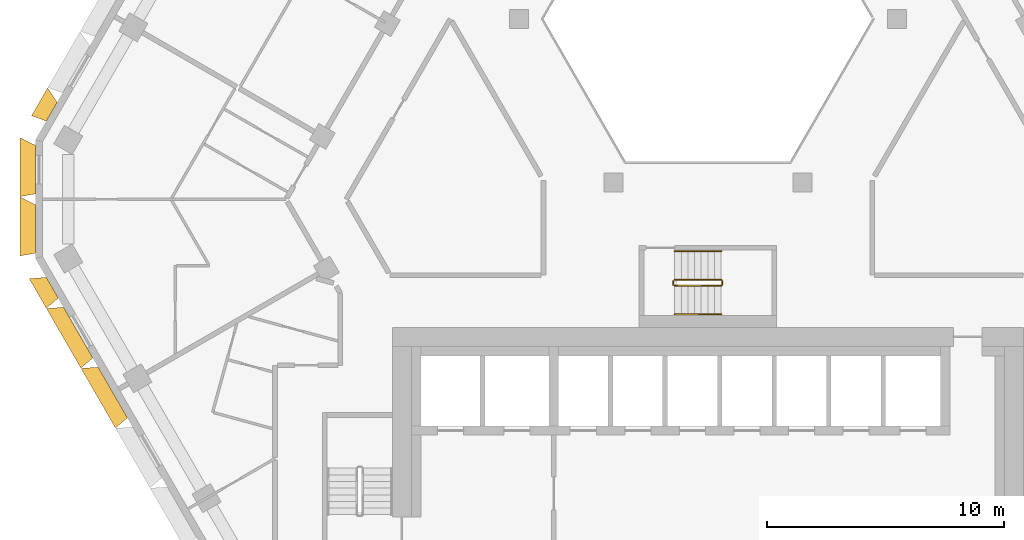
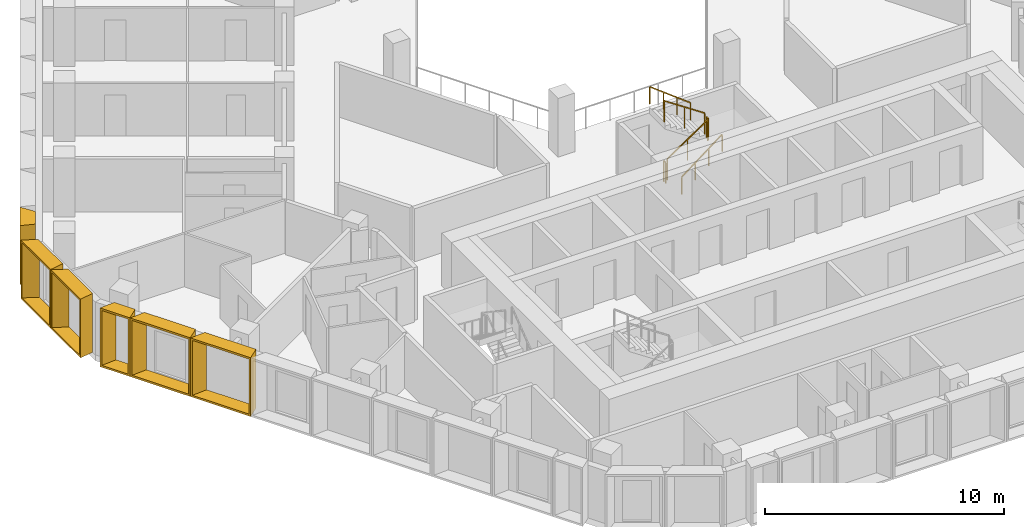
# One storey, part 13 of 15: 6 railings, 6 shading devices.
"""IFC4 building model written with IfcOpenShell, lengths in metres."""

from ifc_helpers import new_model, entity, si_unit, direction, frame, origin, origin_2d, place, context, subcontext, project, spatial, rectangle, extrude, source, transform, mapped, material, type_object, type_shapes, element, save


model = new_model("IFC4")

# Units and contexts
model_context = context("Model", 3, precision=1e-05, world=origin(), true_north=direction((0.0, 1.0)))
body_context = subcontext(model_context, "Body", "Model", "MODEL_VIEW")
ifc_project = project(units=[si_unit("LENGTHUNIT", "METRE"), si_unit("AREAUNIT", "SQUARE_METRE"), si_unit("VOLUMEUNIT", "CUBIC_METRE"), si_unit("PLANEANGLEUNIT", "RADIAN"), si_unit("MASSUNIT", "GRAM", prefix="KILO")], contexts=[model_context])

# Site, building, storey
site_placement = place(None, origin())
site = spatial("IfcSite", under=ifc_project, at=site_placement, CompositionType="ELEMENT")
building_placement = place(site_placement, origin())
building = spatial("IfcBuilding", under=site, at=building_placement, Name="Beryl Residences", CompositionType="ELEMENT")
storey_placement = place(building_placement, frame((0.0, 0.0, 117.60009765625)))
storey = spatial("IfcBuildingStorey", under=building, at=storey_placement, Name="L35", CompositionType="ELEMENT", Elevation=117.60009765625)

# Shading devices
ifc_material_1 = material(Name="Aluminium pale anodised", Category="aluminium")
shading_device_type_1 = type_object("IfcShadingDeviceType", Name="FR137-65B OUTER SKIN frame 650 mm deep, splay 26/10 deg, 1370 x 3000 mm cell", PredefinedType="USERDEFINED", material=ifc_material_1)
cartesian_point_1 = entity("IfcCartesianPoint", [-0.458984375, 0.0])
cartesian_point_2 = entity("IfcCartesianPoint", [-0.369873046875, 0.10009765625])
cartesian_point_3 = entity("IfcCartesianPoint", [-0.776123046875, 0.0])
cartesian_point_4 = entity("IfcCartesianPoint", [-0.68701171875, 0.10009765625])
shared_shape_1 = source(origin(), body_context, "Body", "SweptSolid", [
    entity("IfcExtrudedAreaSolidTapered", entity("IfcArbitraryProfileDefWithVoids", "AREA", None, entity("IfcPolyline", [cartesian_point_1, entity("IfcCartesianPoint", [0.458984375, 0.0]), entity("IfcCartesianPoint", [0.458984375, 3.0]), entity("IfcCartesianPoint", [-0.458984375, 3.0]), cartesian_point_1]), [entity("IfcPolyline", [cartesian_point_2, entity("IfcCartesianPoint", [0.377685546875, 0.10009765625]), entity("IfcCartesianPoint", [0.377685546875, 2.89990234375]), entity("IfcCartesianPoint", [-0.369873046875, 2.89990234375]), cartesian_point_2])]), entity("IfcAxis2Placement3D", entity("IfcCartesianPoint", [0.0, 0.0, 0.0]), entity("IfcDirection", [0.0, 1.0, 0.0]), entity("IfcDirection", [-1.0, 0.0, 0.0])), entity("IfcDirection", [0.0, 0.0, 1.0]), 0.64990234375, entity("IfcArbitraryProfileDefWithVoids", "AREA", None, entity("IfcPolyline", [cartesian_point_3, entity("IfcCartesianPoint", [0.57373046875, 0.0]), entity("IfcCartesianPoint", [0.57373046875, 3.0]), entity("IfcCartesianPoint", [-0.776123046875, 3.0]), cartesian_point_3]), [entity("IfcPolyline", [cartesian_point_4, entity("IfcCartesianPoint", [0.492431640625, 0.10009765625]), entity("IfcCartesianPoint", [0.492431640625, 2.89990234375]), entity("IfcCartesianPoint", [-0.68701171875, 2.89990234375]), cartesian_point_4])])),
])
type_shapes(shading_device_type_1, [shared_shape_1])
shading_device_1_placement = place(storey_placement, frame((-27.658935546875, 4.093017578125, 0.0), z_axis=(0.0, 0.0, 1.0), x_axis=(0.5, 0.866025403784, 0.0)))
element("IfcShadingDevice", 1, at=shading_device_1_placement, inside=storey, type_object=shading_device_type_1, Name="FR137-65B frame L35 NW 9", ObjectType="OUTER SKIN", PredefinedType="USERDEFINED", context=body_context, shape_type="MappedRepresentation", body=[
    mapped(shared_shape_1, transform((0.0, 0.0, 0.0))),
])
ifc_material_2 = material(Name="Aluminium pale anodised", Category="aluminium")
shading_device_type_2 = type_object("IfcShadingDeviceType", Name="FR146-65B OUTER SKIN frame 650 mm deep, splay 26/10 deg, 1460 x 3000 mm cell", PredefinedType="USERDEFINED", material=ifc_material_2)
cartesian_point_5 = entity("IfcCartesianPoint", [-0.50390625, 0.0])
cartesian_point_6 = entity("IfcCartesianPoint", [-0.4150390625, 0.10009765625])
cartesian_point_7 = entity("IfcCartesianPoint", [-0.821044921875, 0.0])
cartesian_point_8 = entity("IfcCartesianPoint", [-0.73193359375, 0.10009765625])
shared_shape_2 = source(origin(), body_context, "Body", "SweptSolid", [
    entity("IfcExtrudedAreaSolidTapered", entity("IfcArbitraryProfileDefWithVoids", "AREA", None, entity("IfcPolyline", [cartesian_point_5, entity("IfcCartesianPoint", [0.50390625, 0.0]), entity("IfcCartesianPoint", [0.50390625, 3.0]), entity("IfcCartesianPoint", [-0.50390625, 3.0]), cartesian_point_5]), [entity("IfcPolyline", [cartesian_point_6, entity("IfcCartesianPoint", [0.4228515625, 0.10009765625]), entity("IfcCartesianPoint", [0.4228515625, 2.89990234375]), entity("IfcCartesianPoint", [-0.4150390625, 2.89990234375]), cartesian_point_6])]), entity("IfcAxis2Placement3D", entity("IfcCartesianPoint", [0.0, 0.0, 0.0]), entity("IfcDirection", [0.0, 1.0, 0.0]), entity("IfcDirection", [-1.0, 0.0, 0.0])), entity("IfcDirection", [0.0, 0.0, 1.0]), 0.64990234375, entity("IfcArbitraryProfileDefWithVoids", "AREA", None, entity("IfcPolyline", [cartesian_point_7, entity("IfcCartesianPoint", [0.61865234375, 0.0]), entity("IfcCartesianPoint", [0.61865234375, 3.0]), entity("IfcCartesianPoint", [-0.821044921875, 3.0]), cartesian_point_7]), [entity("IfcPolyline", [cartesian_point_8, entity("IfcCartesianPoint", [0.537353515625, 0.10009765625]), entity("IfcCartesianPoint", [0.537353515625, 2.89990234375]), entity("IfcCartesianPoint", [-0.73193359375, 2.89990234375]), cartesian_point_8])])),
])
type_shapes(shading_device_type_2, [shared_shape_2])
shading_device_2_placement = place(storey_placement, frame((-27.636962890625, -3.3310546875, 0.0), z_axis=(0.0, 0.0, 1.0), x_axis=(-0.5, 0.866025403784, 0.0)))
element("IfcShadingDevice", 2, at=shading_device_2_placement, inside=storey, type_object=shading_device_type_2, Name="FR146-65B frame L35 SW 1", ObjectType="OUTER SKIN", PredefinedType="USERDEFINED", context=body_context, shape_type="MappedRepresentation", body=[
    mapped(shared_shape_2, transform((0.0, 0.0, 0.0))),
])
ifc_material_3 = material(Name="Aluminium pale anodised", Category="aluminium")
shading_device_type_3 = type_object("IfcShadingDeviceType", Name="FR250-65B OUTER SKIN frame 650 mm deep, splay 26/10 deg, 2500 x 3000 mm cell", PredefinedType="USERDEFINED", material=ifc_material_3)
cartesian_point_9 = entity("IfcCartesianPoint", [-1.02392578125, 0.0])
cartesian_point_10 = entity("IfcCartesianPoint", [-0.93505859375, 0.10009765625])
cartesian_point_11 = entity("IfcCartesianPoint", [-1.341064453125, 0.0])
cartesian_point_12 = entity("IfcCartesianPoint", [-1.251953125, 0.10009765625])
shared_shape_3 = source(origin(), body_context, "Body", "SweptSolid", [
    entity("IfcExtrudedAreaSolidTapered", entity("IfcArbitraryProfileDefWithVoids", "AREA", None, entity("IfcPolyline", [cartesian_point_9, entity("IfcCartesianPoint", [1.02392578125, 0.0]), entity("IfcCartesianPoint", [1.02392578125, 3.0]), entity("IfcCartesianPoint", [-1.02392578125, 3.0]), cartesian_point_9]), [entity("IfcPolyline", [cartesian_point_10, entity("IfcCartesianPoint", [0.94287109375, 0.10009765625]), entity("IfcCartesianPoint", [0.94287109375, 2.89990234375]), entity("IfcCartesianPoint", [-0.93505859375, 2.89990234375]), cartesian_point_10])]), entity("IfcAxis2Placement3D", entity("IfcCartesianPoint", [0.0, 0.0, 0.0]), entity("IfcDirection", [0.0, 1.0, 0.0]), entity("IfcDirection", [-1.0, 0.0, 0.0])), entity("IfcDirection", [0.0, 0.0, 1.0]), 0.64990234375, entity("IfcArbitraryProfileDefWithVoids", "AREA", None, entity("IfcPolyline", [cartesian_point_11, entity("IfcCartesianPoint", [1.138671875, 0.0]), entity("IfcCartesianPoint", [1.138671875, 3.0]), entity("IfcCartesianPoint", [-1.341064453125, 3.0]), cartesian_point_11]), [entity("IfcPolyline", [cartesian_point_12, entity("IfcCartesianPoint", [1.057373046875, 0.10009765625]), entity("IfcCartesianPoint", [1.057373046875, 2.89990234375]), entity("IfcCartesianPoint", [-1.251953125, 2.89990234375]), cartesian_point_12])])),
])
type_shapes(shading_device_type_3, [shared_shape_3])
for number, where, z_axis, x_axis, name in (
    (3, (-28.347900390625, 1.64990234375, 0.0), (0.0, 0.0, 1.0), (0.0, 1.0, 0.0), "FR250-65B frame L35 NW-SW 1"),
    (4, (-28.347900390625, -0.85009765625, 0.0), (0.0, 0.0, 1.0), (0.0, 1.0, 0.0), "FR250-65B frame L35 NW-SW 2"),
):
    element("IfcShadingDevice", number, at=place(storey_placement, frame(where, z_axis=z_axis, x_axis=x_axis)), inside=storey, type_object=shading_device_type_3, Name=name, ObjectType="OUTER SKIN", PredefinedType="USERDEFINED", context=body_context, shape_type="MappedRepresentation", body=[
        mapped(shared_shape_3, transform((0.0, 0.0, 0.0))),
    ])
ifc_material_4 = material(Name="Aluminium pale anodised", Category="aluminium")
shading_device_type_4 = type_object("IfcShadingDeviceType", Name="FR292-65B OUTER SKIN frame 650 mm deep, splay 26/10 deg, 2920 x 3000 mm cell", PredefinedType="USERDEFINED", material=ifc_material_4)
cartesian_point_13 = entity("IfcCartesianPoint", [-1.23388671875, 0.0])
cartesian_point_14 = entity("IfcCartesianPoint", [-1.14501953125, 0.10009765625])
cartesian_point_15 = entity("IfcCartesianPoint", [-1.551025390625, 0.0])
cartesian_point_16 = entity("IfcCartesianPoint", [-1.4619140625, 0.10009765625])
shared_shape_4 = source(origin(), body_context, "Body", "SweptSolid", [
    entity("IfcExtrudedAreaSolidTapered", entity("IfcArbitraryProfileDefWithVoids", "AREA", None, entity("IfcPolyline", [cartesian_point_13, entity("IfcCartesianPoint", [1.23388671875, 0.0]), entity("IfcCartesianPoint", [1.23388671875, 3.0]), entity("IfcCartesianPoint", [-1.23388671875, 3.0]), cartesian_point_13]), [entity("IfcPolyline", [cartesian_point_14, entity("IfcCartesianPoint", [1.15283203125, 0.10009765625]), entity("IfcCartesianPoint", [1.15283203125, 2.89990234375]), entity("IfcCartesianPoint", [-1.14501953125, 2.89990234375]), cartesian_point_14])]), entity("IfcAxis2Placement3D", entity("IfcCartesianPoint", [0.0, 0.0, 0.0]), entity("IfcDirection", [0.0, 1.0, 0.0]), entity("IfcDirection", [-1.0, 0.0, 0.0])), entity("IfcDirection", [0.0, 0.0, 1.0]), 0.64990234375, entity("IfcArbitraryProfileDefWithVoids", "AREA", None, entity("IfcPolyline", [cartesian_point_15, entity("IfcCartesianPoint", [1.3486328125, 0.0]), entity("IfcCartesianPoint", [1.3486328125, 3.0]), entity("IfcCartesianPoint", [-1.551025390625, 3.0]), cartesian_point_15]), [entity("IfcPolyline", [cartesian_point_16, entity("IfcCartesianPoint", [1.267333984375, 0.10009765625]), entity("IfcCartesianPoint", [1.267333984375, 2.89990234375]), entity("IfcCartesianPoint", [-1.4619140625, 2.89990234375]), cartesian_point_16])])),
])
type_shapes(shading_device_type_4, [shared_shape_4])
for number, where, z_axis, x_axis, name in (
    (5, (-26.5439453125, -5.22412109375, 0.0), (0.0, 0.0, 1.0), (-0.5, 0.866025403784, 0.0), "FR292-65B frame L35 SW 2"),
    (6, (-25.0859375, -7.7490234375, 0.0), (0.0, 0.0, 1.0), (-0.5, 0.866025403784, 0.0), "FR292-65B frame L35 SW 3"),
):
    element("IfcShadingDevice", number, at=place(storey_placement, frame(where, z_axis=z_axis, x_axis=x_axis)), inside=storey, type_object=shading_device_type_4, Name=name, ObjectType="OUTER SKIN", PredefinedType="USERDEFINED", context=body_context, shape_type="MappedRepresentation", body=[
        mapped(shared_shape_4, transform((0.0, 0.0, 0.0))),
    ])

# Railings
ifc_material_5 = material(Name="Stainless steel balustrade with glass infill", Category="steel")
railing_type_1 = type_object("IfcRailingType", Name="SG1 stair guard 1100 mm", PredefinedType="GUARDRAIL", material=ifc_material_5)
railing_1_placement = place(storey_placement, frame((-1.39990234375, -3.25, 0.1875)))
element("IfcRailing", 7, at=railing_1_placement, inside=storey, type_object=railing_type_1, Name="L35 ST-4 stair guard 1", PredefinedType="GUARDRAIL", context=body_context, shape_type="SweptSolid", body=[
    extrude(rectangle(XDim=0.048095703125, YDim=0.048095703125, at=origin_2d()), frame((0.0, 0.0, 1.076171875), z_axis=(0.830902050051, 0.0, 0.556418712142), x_axis=(0.0, 1.0, 0.0)), (0.0, 0.0, 1.0), 2.35888671875),
    extrude(rectangle(XDim=0.0419921875, YDim=0.0419921875, at=origin_2d()), origin(), (0.0, 0.0, 1.0), 1.052001953125),
    extrude(rectangle(XDim=0.0419921875, YDim=0.0419921875, at=origin_2d()), frame((0.97998046875, 0.0, 0.65625)), (0.0, 0.0, 1.0), 1.052001953125),
    extrude(rectangle(XDim=0.0419921875, YDim=0.0419921875, at=origin_2d()), frame((1.9599609375, 0.0, 1.3125)), (0.0, 0.0, 1.0), 1.052001953125),
])
railing_2_placement = place(storey_placement, frame((0.610107421875, -3.199951171875, 1.5)))
element("IfcRailing", 8, at=railing_2_placement, inside=storey, type_object=railing_type_1, Name="L35 ST-4 stair guard 2", PredefinedType="GUARDRAIL", context=body_context, shape_type="SweptSolid", body=[
    extrude(rectangle(XDim=0.048095703125, YDim=0.048095703125, at=origin_2d()), frame((0.0, 0.0, 1.076171875), z_axis=(0.0, 1.0, 0.0), x_axis=(-1.0, 0.0, 0.0)), (0.0, 0.0, 1.0), 0.14990234375),
    extrude(rectangle(XDim=0.0419921875, YDim=0.0419921875, at=origin_2d()), origin(), (0.0, 0.0, 1.0), 1.052001953125),
    extrude(rectangle(XDim=0.0419921875, YDim=0.0419921875, at=origin_2d()), frame((0.0, 0.14990234375, 0.0)), (0.0, 0.0, 1.0), 1.052001953125),
])
railing_3_placement = place(storey_placement, frame((0.56005859375, -3.0, 1.6875)))
element("IfcRailing", 9, at=railing_3_placement, inside=storey, type_object=railing_type_1, Name="L35 ST-4 stair guard 3", PredefinedType="GUARDRAIL", context=body_context, shape_type="SweptSolid", body=[
    extrude(rectangle(XDim=0.048095703125, YDim=0.048095703125, at=origin_2d()), frame((0.0, 0.0, 1.076171875), z_axis=(-0.830902050051, 0.0, 0.556418712142), x_axis=(0.0, -1.0, 0.0)), (0.0, 0.0, 1.0), 2.35888671875),
    extrude(rectangle(XDim=0.0419921875, YDim=0.0419921875, at=origin_2d()), origin(), (0.0, 0.0, 1.0), 1.052001953125),
    extrude(rectangle(XDim=0.0419921875, YDim=0.0419921875, at=origin_2d()), frame((-0.97998046875, 0.0, 0.65625)), (0.0, 0.0, 1.0), 1.052001953125),
    extrude(rectangle(XDim=0.0419921875, YDim=0.0419921875, at=origin_2d()), frame((-1.9599609375, 0.0, 1.3125)), (0.0, 0.0, 1.0), 1.052001953125),
])
railing_4_placement = place(storey_placement, frame((-1.449951171875, -3.199951171875, 0.0)))
element("IfcRailing", 10, at=railing_4_placement, inside=storey, type_object=railing_type_1, Name="L35 ST-4 stair guard 4", PredefinedType="GUARDRAIL", context=body_context, shape_type="SweptSolid", body=[
    extrude(rectangle(XDim=0.048095703125, YDim=0.048095703125, at=origin_2d()), frame((0.0, 0.0, 1.076171875), z_axis=(0.0, 1.0, 0.0), x_axis=(-1.0, 0.0, 0.0)), (0.0, 0.0, 1.0), 0.14990234375),
    extrude(rectangle(XDim=0.0419921875, YDim=0.0419921875, at=origin_2d()), origin(), (0.0, 0.0, 1.0), 1.052001953125),
    extrude(rectangle(XDim=0.0419921875, YDim=0.0419921875, at=origin_2d()), frame((0.0, 0.14990234375, 0.0)), (0.0, 0.0, 1.0), 1.052001953125),
])
ifc_material_6 = material(Name="Stainless steel handrail", Category="steel")
railing_type_2 = type_object("IfcRailingType", Name="SRL1 stair handrail 900 mm", PredefinedType="HANDRAIL", material=ifc_material_6)
railing_5_placement = place(storey_placement, frame((-1.39990234375, -4.449951171875, 0.1875)))
element("IfcRailing", 11, at=railing_5_placement, inside=storey, type_object=railing_type_2, Name="L35 ST-4 stair handrail 1", PredefinedType="HANDRAIL", context=body_context, shape_type="SweptSolid", body=[
    extrude(rectangle(XDim=0.048095703125, YDim=0.048095703125, at=origin_2d()), frame((0.0, 0.0, 0.8759765625), z_axis=(0.794121922505, 0.0, 0.607758481798), x_axis=(0.0, 1.0, 0.0)), (0.0, 0.0, 1.0), 2.468017578125),
    extrude(rectangle(XDim=0.0419921875, YDim=0.0419921875, at=origin_2d()), origin(), (0.0, 0.0, 1.0), 0.851806640625),
    extrude(rectangle(XDim=0.0419921875, YDim=0.0419921875, at=origin_2d()), frame((0.6533203125, 0.0, 0.5)), (0.0, 0.0, 1.0), 0.851806640625),
    extrude(rectangle(XDim=0.0419921875, YDim=0.0419921875, at=origin_2d()), frame((1.306640625, 0.0, 1.0)), (0.0, 0.0, 1.0), 0.851806640625),
    extrude(rectangle(XDim=0.0419921875, YDim=0.0419921875, at=origin_2d()), frame((1.9599609375, 0.0, 1.5)), (0.0, 0.0, 1.0), 0.851806640625),
])
railing_6_placement = place(storey_placement, frame((0.56005859375, -1.800048828125, 1.6875)))
element("IfcRailing", 12, at=railing_6_placement, inside=storey, type_object=railing_type_2, Name="L35 ST-4 stair handrail 2", PredefinedType="HANDRAIL", context=body_context, shape_type="SweptSolid", body=[
    extrude(rectangle(XDim=0.048095703125, YDim=0.048095703125, at=origin_2d()), frame((0.0, 0.0, 0.8759765625), z_axis=(-0.794121922505, 0.0, 0.607758481798), x_axis=(0.0, -1.0, 0.0)), (0.0, 0.0, 1.0), 2.468017578125),
    extrude(rectangle(XDim=0.0419921875, YDim=0.0419921875, at=origin_2d()), origin(), (0.0, 0.0, 1.0), 0.851806640625),
    extrude(rectangle(XDim=0.0419921875, YDim=0.0419921875, at=origin_2d()), frame((-0.6533203125, 0.0, 0.5)), (0.0, 0.0, 1.0), 0.851806640625),
    extrude(rectangle(XDim=0.0419921875, YDim=0.0419921875, at=origin_2d()), frame((-1.306640625, 0.0, 1.0)), (0.0, 0.0, 1.0), 0.851806640625),
    extrude(rectangle(XDim=0.0419921875, YDim=0.0419921875, at=origin_2d()), frame((-1.9599609375, 0.0, 1.5)), (0.0, 0.0, 1.0), 0.851806640625),
])

save(model, "model.ifc")
